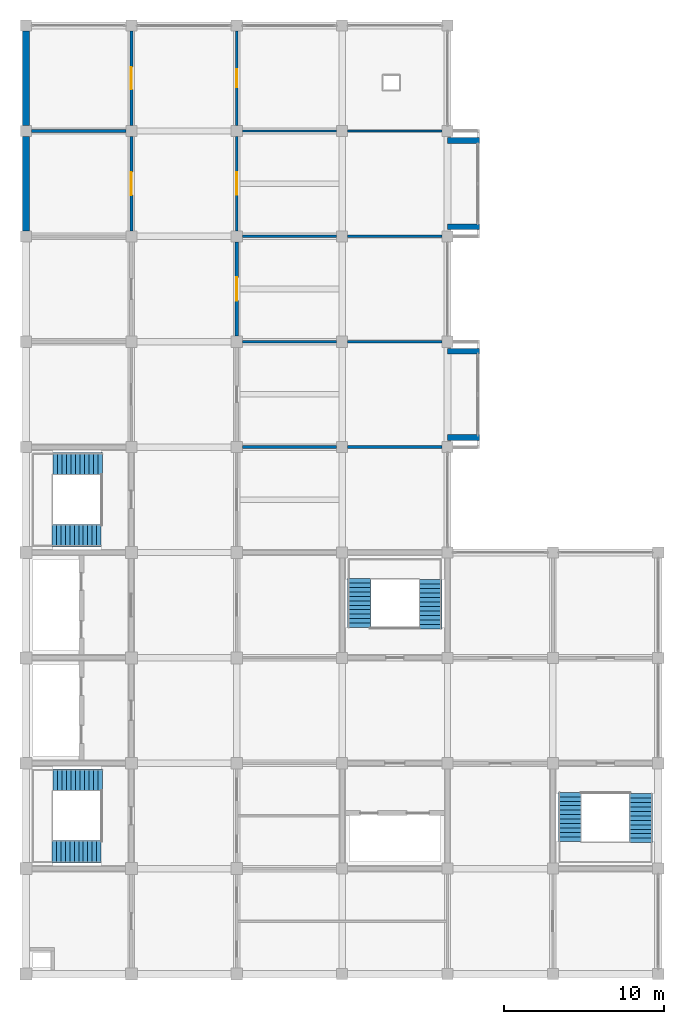
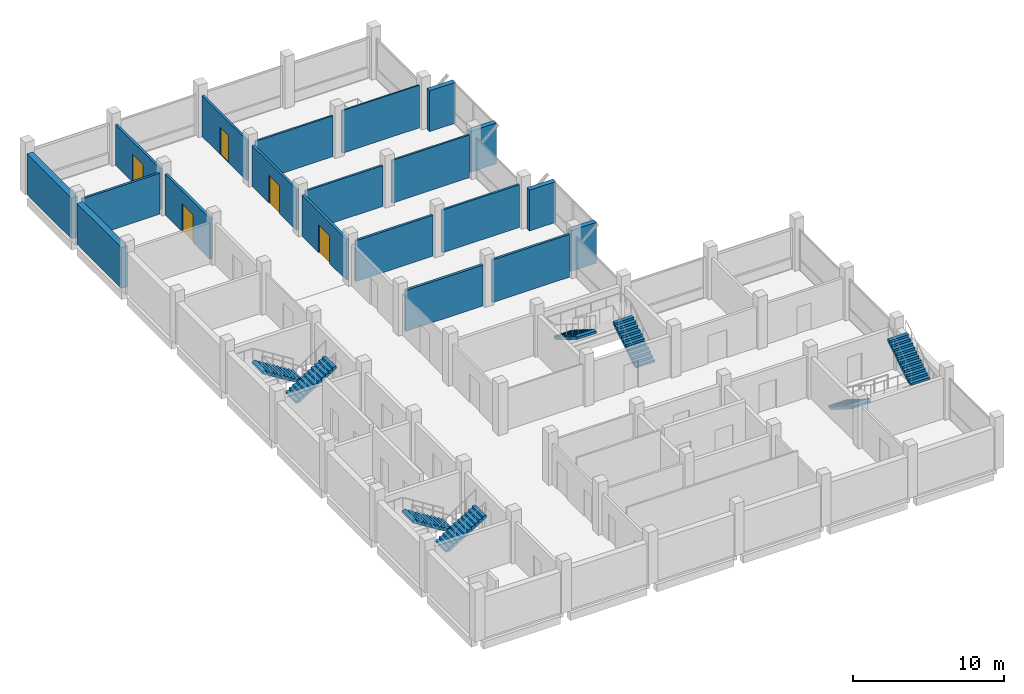
# One storey, part 9 of 10: 20 walls, 8 stair flights, 5 doors, 5 openings, 4 elements without a shape of their own.
"""IFC4 building model written with IfcOpenShell, lengths in metres."""

from ifc_helpers import new_model, si_unit, direction, frame, frame_2d, origin, place, context, subcontext, project, spatial, polyline, rectangle, outline, extrude, material, layer, layer_set, type_object, element, fill, aggregate, save


model = new_model("IFC4")

# Units and contexts
model_context = context("Model", 3, precision=1e-05, world=origin(), true_north=direction((0.0, 1.0)))
body_context = subcontext(model_context, "Body", "Model", "MODEL_VIEW")
ifc_project = project(units=[si_unit("LENGTHUNIT", "METRE"), si_unit("AREAUNIT", "SQUARE_METRE"), si_unit("VOLUMEUNIT", "CUBIC_METRE"), si_unit("PLANEANGLEUNIT", "RADIAN"), si_unit("MASSUNIT", "GRAM", prefix="KILO")], contexts=[model_context])

# Site, building, storey
site_placement = place(None, origin())
site = spatial("IfcSite", under=ifc_project, at=site_placement, CompositionType="ELEMENT")
building_placement = place(site_placement, origin())
building = spatial("IfcBuilding", under=site, at=building_placement, Name="Rusizi Kubbe Research Institute", CompositionType="ELEMENT")
storey_placement = place(building_placement, frame((0.0, 0.0, 48.0)))
storey = spatial("IfcBuildingStorey", under=building, at=storey_placement, Name="L11", CompositionType="ELEMENT", Elevation=48.0)

# Walls
ifc_material_1 = material(Name="Volcanic Basalt Ashlar Masonry", Category="masonry")
ifc_layer_1 = layer(ifc_material_1, 0.35498046875)
ifc_layer_set_1 = layer_set([ifc_layer_1], Name="Volcanic Basalt Ashlar Masonry")
wall_type_1 = type_object("IfcWallType", Name="EW-06", PredefinedType="SOLIDWALL", material=ifc_layer_set_1)
for number, where, z_axis, x_axis, name in (
    (1, (26.39990234375, 33.60009765625, 0.0), (0.0, 0.0, 1.0), (1.0, 0.0, 0.0), "Cumba Return Wall S L11 (4,5)"),
    (2, (26.39990234375, 39.0, 0.0), (0.0, 0.0, 1.0), (1.0, 0.0, 0.0), "Cumba Return Wall N L11 (4,5)"),
    (3, (26.39990234375, 46.800048828125, 0.0), (0.0, 0.0, 1.0), (1.0, 0.0, 0.0), "Cumba Return Wall S L11 (4,7)"),
    (4, (26.39990234375, 52.199951171875, 0.0), (0.0, 0.0, 1.0), (1.0, 0.0, 0.0), "Cumba Return Wall N L11 (4,7)"),
):
    element("IfcWall", number, at=place(storey_placement, frame(where, z_axis=z_axis, x_axis=x_axis)), inside=storey, type_object=wall_type_1, Name=name, PredefinedType="SOLIDWALL", context=body_context, shape_type="SweptSolid", body=[
        extrude(rectangle(XDim=2.0, YDim=0.35498046875, at=frame_2d((1.0, 0.0))), origin(), (0.0, 0.0, 1.0), 3.2900390625),
    ])

# Wall, opening, door
ifc_material_2 = material(Name="Insulated Cleanroom Partition", Category="masonry")
ifc_layer_2 = layer(ifc_material_2, 0.195068359375)
ifc_layer_set_2 = layer_set([ifc_layer_2], Name="Insulated Cleanroom Partition")
wall_type_2 = type_object("IfcWallType", Name="IW-02", PredefinedType="PARTITIONING", material=ifc_layer_set_2)
wall_1_placement = place(storey_placement, frame((6.60009765625, 46.550048828125, 0.0), z_axis=(0.0, 0.0, 1.0), x_axis=(0.0, 1.0, 0.0)))
wall_1 = element("IfcWall", 5, at=wall_1_placement, inside=storey, type_object=wall_type_2, Name="Interior Partition Wall L11 V1-7", PredefinedType="PARTITIONING", context=body_context, shape_type="SweptSolid", body=[
    extrude(rectangle(XDim=5.89990234375, YDim=0.195068359375, at=frame_2d((2.949951171875, 0.0))), origin(), (0.0, 0.0, 1.0), 3.2900390625),
])
opening_1_placement = place(wall_1_placement, frame((2.22509765625, 0.0, 0.0)))
opening_1 = element("IfcOpeningElement", 6, at=opening_1_placement, cuts=wall_1, Name="Opening D-11", PredefinedType="OPENING", context=body_context, shape_type="SweptSolid", body=[
    extrude(rectangle(XDim=1.449951171875, YDim=2.25, at=frame_2d((0.72509765625, 1.125))), frame((0.0, 0.107421875, 0.0), z_axis=(0.0, -1.0, 0.0), x_axis=(1.0, 0.0, 0.0)), (0.0, 0.0, 1.0), 0.215087890625),
])
ifc_material_3 = material(Name="Fire-Rated Steel Frame and Acoustic Timber Leaf", Category="wood")
door_type_1 = type_object("IfcDoorType", Name="ID-LAB-145", OperationType="NOTDEFINED", PredefinedType="DOOR", material=ifc_material_3)
door_1_placement = place(opening_1_placement, origin())
door_1 = element("IfcDoor", 7, at=door_1_placement, inside=storey, type_object=door_type_1, Name="Door to Clean Room Metrology Laboratory (L11-WSP-07)", OperationType="SINGLE_SWING_LEFT", OverallHeight=2.25, OverallWidth=1.449951171875, PredefinedType="DOOR", context=body_context, shape_type="SweptSolid", body=[
    extrude(rectangle(XDim=1.449951171875, YDim=2.25, at=frame_2d((0.72509765625, 1.125))), frame((0.0, 0.02490234375, 0.0), z_axis=(0.0, -1.0, 0.0), x_axis=(1.0, 0.0, 0.0)), (0.0, 0.0, 1.0), 0.050048828125),
])
fill(opening_1, door_1)

wall_2_placement = place(storey_placement, frame((13.199951171875, 39.949951171875, 0.0), z_axis=(0.0, 0.0, 1.0), x_axis=(0.0, 1.0, 0.0)))
wall_2 = element("IfcWall", 8, at=wall_2_placement, inside=storey, type_object=wall_type_2, Name="Interior Partition Wall L11 V2-6", PredefinedType="PARTITIONING", context=body_context, shape_type="SweptSolid", body=[
    extrude(rectangle(XDim=5.900146484375, YDim=0.195068359375, at=frame_2d((2.9501953125, 0.0))), origin(), (0.0, 0.0, 1.0), 3.2900390625),
])
opening_2_placement = place(wall_2_placement, frame((2.22509765625, 0.0, 0.0)))
opening_2 = element("IfcOpeningElement", 9, at=opening_2_placement, cuts=wall_2, Name="Opening D-11", PredefinedType="OPENING", context=body_context, shape_type="SweptSolid", body=[
    extrude(rectangle(XDim=1.449951171875, YDim=2.25, at=frame_2d((0.72509765625, 1.125))), frame((0.0, 0.107421875, 0.0), z_axis=(0.0, -1.0, 0.0), x_axis=(1.0, 0.0, 0.0)), (0.0, 0.0, 1.0), 0.215087890625),
])
door_2_placement = place(opening_2_placement, origin())
door_2 = element("IfcDoor", 10, at=door_2_placement, inside=storey, type_object=door_type_1, Name="Door to Bioscience Wet Laboratory (L11-NW-04)", OperationType="SINGLE_SWING_LEFT", OverallHeight=2.25, OverallWidth=1.449951171875, PredefinedType="DOOR", context=body_context, shape_type="SweptSolid", body=[
    extrude(rectangle(XDim=1.449951171875, YDim=2.25, at=frame_2d((0.72509765625, 1.125))), frame((0.0, 0.02490234375, 0.0), z_axis=(0.0, -1.0, 0.0), x_axis=(1.0, 0.0, 0.0)), (0.0, 0.0, 1.0), 0.050048828125),
])
fill(opening_2, door_2)

# Walls
wall_3_placement = place(storey_placement, frame((13.550048828125, 33.0, 0.0), z_axis=(0.0, 0.0, 1.0), x_axis=(1.0, 0.0, 0.0)))
element("IfcWall", 11, at=wall_3_placement, inside=storey, type_object=wall_type_2, Name="Interior Partition Wall L11 H2-5", PredefinedType="PARTITIONING", context=body_context, shape_type="SweptSolid", body=[
    extrude(rectangle(XDim=5.89990234375, YDim=0.195068359375, at=frame_2d((2.949951171875, 0.0))), origin(), (0.0, 0.0, 1.0), 3.2900390625),
])
ifc_material_4 = material(Name="Acoustic Laboratory Partition", Category="masonry")
ifc_layer_3 = layer(ifc_material_4, 0.175048828125)
ifc_layer_set_3 = layer_set([ifc_layer_3], Name="Acoustic Laboratory Partition")
wall_type_3 = type_object("IfcWallType", Name="IW-03", PredefinedType="PARTITIONING", material=ifc_layer_set_3)
wall_4_placement = place(storey_placement, frame((0.35009765625, 52.800048828125, 0.0), z_axis=(0.0, 0.0, 1.0), x_axis=(1.0, 0.0, 0.0)))
element("IfcWall", 12, at=wall_4_placement, inside=storey, type_object=wall_type_3, Name="Interior Partition Wall L11 H0-8", PredefinedType="PARTITIONING", context=body_context, shape_type="SweptSolid", body=[
    extrude(rectangle(XDim=5.89990234375, YDim=0.175048828125, at=frame_2d((2.949951171875, 0.0))), origin(), (0.0, 0.0, 1.0), 3.2900390625),
])

# Wall, opening, door
wall_5_placement = place(storey_placement, frame((6.60009765625, 53.14990234375, 0.0), z_axis=(0.0, 0.0, 1.0), x_axis=(0.0, 1.0, 0.0)))
wall_5 = element("IfcWall", 13, at=wall_5_placement, inside=storey, type_object=wall_type_3, Name="Interior Partition Wall L11 V1-8", PredefinedType="PARTITIONING", context=body_context, shape_type="SweptSolid", body=[
    extrude(rectangle(XDim=5.900146484375, YDim=0.175048828125, at=frame_2d((2.9501953125, 0.0))), origin(), (0.0, 0.0, 1.0), 3.2900390625),
])
opening_3_placement = place(wall_5_placement, frame((2.25, 0.0, 0.0)))
opening_3 = element("IfcOpeningElement", 14, at=opening_3_placement, cuts=wall_5, Name="Opening D-12", PredefinedType="OPENING", context=body_context, shape_type="SweptSolid", body=[
    extrude(rectangle(XDim=1.39990234375, YDim=2.25, at=frame_2d((0.699951171875, 1.125))), frame((0.0, 0.097412109375, 0.0), z_axis=(0.0, -1.0, 0.0), x_axis=(1.0, 0.0, 0.0)), (0.0, 0.0, 1.0), 0.195068359375),
])
ifc_material_5 = material(Name="Fire-Rated Steel Frame and Acoustic Timber Leaf", Category="wood")
door_type_2 = type_object("IfcDoorType", Name="ID-LAB-140", OperationType="NOTDEFINED", PredefinedType="DOOR", material=ifc_material_5)
door_3_placement = place(opening_3_placement, origin())
door_3 = element("IfcDoor", 15, at=door_3_placement, inside=storey, type_object=door_type_2, Name="Door to Service Spine Autoclave Room (L11-WSP-08)", OperationType="SINGLE_SWING_RIGHT", OverallHeight=2.25, OverallWidth=1.39990234375, PredefinedType="DOOR", context=body_context, shape_type="SweptSolid", body=[
    extrude(rectangle(XDim=1.39990234375, YDim=2.25, at=frame_2d((0.699951171875, 1.125))), frame((0.0, 0.02490234375, 0.0), z_axis=(0.0, -1.0, 0.0), x_axis=(1.0, 0.0, 0.0)), (0.0, 0.0, 1.0), 0.050048828125),
])
fill(opening_3, door_3)

wall_6_placement = place(storey_placement, frame((13.199951171875, 46.550048828125, 0.0), z_axis=(0.0, 0.0, 1.0), x_axis=(0.0, 1.0, 0.0)))
wall_6 = element("IfcWall", 16, at=wall_6_placement, inside=storey, type_object=wall_type_3, Name="Interior Partition Wall L11 V2-7", PredefinedType="PARTITIONING", context=body_context, shape_type="SweptSolid", body=[
    extrude(rectangle(XDim=5.89990234375, YDim=0.175048828125, at=frame_2d((2.949951171875, 0.0))), origin(), (0.0, 0.0, 1.0), 3.2900390625),
])
opening_4_placement = place(wall_6_placement, frame((2.25, 0.0, 0.0)))
opening_4 = element("IfcOpeningElement", 17, at=opening_4_placement, cuts=wall_6, Name="Opening D-12", PredefinedType="OPENING", context=body_context, shape_type="SweptSolid", body=[
    extrude(rectangle(XDim=1.39990234375, YDim=2.25, at=frame_2d((0.699951171875, 1.125))), frame((0.0, 0.097412109375, 0.0), z_axis=(0.0, -1.0, 0.0), x_axis=(1.0, 0.0, 0.0)), (0.0, 0.0, 1.0), 0.195068359375),
])
door_4_placement = place(opening_4_placement, origin())
door_4 = element("IfcDoor", 18, at=door_4_placement, inside=storey, type_object=door_type_2, Name="Door to Computational Dry Laboratory (L11-NW-05)", OperationType="SINGLE_SWING_RIGHT", OverallHeight=2.25, OverallWidth=1.39990234375, PredefinedType="DOOR", context=body_context, shape_type="SweptSolid", body=[
    extrude(rectangle(XDim=1.39990234375, YDim=2.25, at=frame_2d((0.699951171875, 1.125))), frame((0.0, 0.02490234375, 0.0), z_axis=(0.0, -1.0, 0.0), x_axis=(1.0, 0.0, 0.0)), (0.0, 0.0, 1.0), 0.050048828125),
])
fill(opening_4, door_4)

# Walls
wall_7_placement = place(storey_placement, frame((13.550048828125, 39.60009765625, 0.0), z_axis=(0.0, 0.0, 1.0), x_axis=(1.0, 0.0, 0.0)))
element("IfcWall", 19, at=wall_7_placement, inside=storey, type_object=wall_type_3, Name="Interior Partition Wall L11 H2-6", PredefinedType="PARTITIONING", context=body_context, shape_type="SweptSolid", body=[
    extrude(rectangle(XDim=5.89990234375, YDim=0.175048828125, at=frame_2d((2.949951171875, 0.0))), origin(), (0.0, 0.0, 1.0), 3.2900390625),
])
wall_8_placement = place(storey_placement, frame((20.14990234375, 33.0, 0.0), z_axis=(0.0, 0.0, 1.0), x_axis=(1.0, 0.0, 0.0)))
element("IfcWall", 20, at=wall_8_placement, inside=storey, type_object=wall_type_3, Name="Interior Partition Wall L11 H3-5", PredefinedType="PARTITIONING", context=body_context, shape_type="SweptSolid", body=[
    extrude(rectangle(XDim=5.900146484375, YDim=0.175048828125, at=frame_2d((2.9501953125, 0.0))), origin(), (0.0, 0.0, 1.0), 3.43994140625),
])

# Wall, opening, door
ifc_material_6 = material(Name="Fire-Rated Corridor Partition", Category="masonry")
ifc_layer_4 = layer(ifc_material_6, 0.155029296875)
ifc_layer_set_4 = layer_set([ifc_layer_4], Name="Fire-Rated Corridor Partition")
wall_type_4 = type_object("IfcWallType", Name="IW-04", PredefinedType="PARTITIONING", material=ifc_layer_set_4)
wall_9_placement = place(storey_placement, frame((13.199951171875, 53.14990234375, 0.0), z_axis=(0.0, 0.0, 1.0), x_axis=(0.0, 1.0, 0.0)))
wall_9 = element("IfcWall", 21, at=wall_9_placement, inside=storey, type_object=wall_type_4, Name="Interior Partition Wall L11 V2-8", PredefinedType="PARTITIONING", context=body_context, shape_type="SweptSolid", body=[
    extrude(rectangle(XDim=5.900146484375, YDim=0.155029296875, at=frame_2d((2.9501953125, 0.0))), origin(), (0.0, 0.0, 1.0), 3.2900390625),
])
opening_5_placement = place(wall_9_placement, frame((2.389892578125, 0.0, 0.0)))
opening_5 = element("IfcOpeningElement", 22, at=opening_5_placement, cuts=wall_9, Name="Opening D-18", PredefinedType="OPENING", context=body_context, shape_type="SweptSolid", body=[
    extrude(rectangle(XDim=1.1201171875, YDim=2.199951171875, at=frame_2d((0.56005859375, 1.10009765625))), frame((0.0, 0.08740234375, 0.0), z_axis=(0.0, -1.0, 0.0), x_axis=(1.0, 0.0, 0.0)), (0.0, 0.0, 1.0), 0.175048828125),
])
ifc_material_7 = material(Name="Fire-Rated Steel Frame and Acoustic Timber Leaf", Category="wood")
door_type_3 = type_object("IfcDoorType", Name="ID-OFF-112", OperationType="NOTDEFINED", PredefinedType="DOOR", material=ifc_material_7)
door_5_placement = place(opening_5_placement, origin())
door_5 = element("IfcDoor", 23, at=door_5_placement, inside=storey, type_object=door_type_3, Name="Door to Write-up Office (L11-NW-06)", OperationType="SINGLE_SWING_LEFT", OverallHeight=2.199951171875, OverallWidth=1.1201171875, PredefinedType="DOOR", context=body_context, shape_type="SweptSolid", body=[
    extrude(rectangle(XDim=1.1201171875, YDim=2.199951171875, at=frame_2d((0.56005859375, 1.10009765625))), frame((0.0, 0.02490234375, 0.0), z_axis=(0.0, -1.0, 0.0), x_axis=(1.0, 0.0, 0.0)), (0.0, 0.0, 1.0), 0.050048828125),
])
fill(opening_5, door_5)

# Walls
wall_10_placement = place(storey_placement, frame((13.550048828125, 46.199951171875, 0.0), z_axis=(0.0, 0.0, 1.0), x_axis=(1.0, 0.0, 0.0)))
element("IfcWall", 24, at=wall_10_placement, inside=storey, type_object=wall_type_4, Name="Interior Partition Wall L11 H2-7", PredefinedType="PARTITIONING", context=body_context, shape_type="SweptSolid", body=[
    extrude(rectangle(XDim=5.89990234375, YDim=0.155029296875, at=frame_2d((2.949951171875, 0.0))), origin(), (0.0, 0.0, 1.0), 3.2900390625),
])
wall_11_placement = place(storey_placement, frame((20.14990234375, 39.60009765625, 0.0), z_axis=(0.0, 0.0, 1.0), x_axis=(1.0, 0.0, 0.0)))
element("IfcWall", 25, at=wall_11_placement, inside=storey, type_object=wall_type_4, Name="Interior Partition Wall L11 H3-6", PredefinedType="PARTITIONING", context=body_context, shape_type="SweptSolid", body=[
    extrude(rectangle(XDim=5.900146484375, YDim=0.155029296875, at=frame_2d((2.9501953125, 0.0))), origin(), (0.0, 0.0, 1.0), 3.43994140625),
])
ifc_material_8 = material(Name="Write-up Glazed Acoustic Partition", Category="masonry")
ifc_layer_5 = layer(ifc_material_8, 0.139892578125)
ifc_layer_set_5 = layer_set([ifc_layer_5], Name="Write-up Glazed Acoustic Partition")
wall_type_5 = type_object("IfcWallType", Name="IW-05", PredefinedType="PARTITIONING", material=ifc_layer_set_5)
wall_12_placement = place(storey_placement, frame((13.550048828125, 52.800048828125, 0.0), z_axis=(0.0, 0.0, 1.0), x_axis=(1.0, 0.0, 0.0)))
element("IfcWall", 26, at=wall_12_placement, inside=storey, type_object=wall_type_5, Name="Interior Partition Wall L11 H2-8", PredefinedType="PARTITIONING", context=body_context, shape_type="SweptSolid", body=[
    extrude(rectangle(XDim=5.89990234375, YDim=0.139892578125, at=frame_2d((2.949951171875, 0.0))), origin(), (0.0, 0.0, 1.0), 3.2900390625),
])
wall_13_placement = place(storey_placement, frame((20.14990234375, 46.199951171875, 0.0), z_axis=(0.0, 0.0, 1.0), x_axis=(1.0, 0.0, 0.0)))
element("IfcWall", 27, at=wall_13_placement, inside=storey, type_object=wall_type_5, Name="Interior Partition Wall L11 H3-7", PredefinedType="PARTITIONING", context=body_context, shape_type="SweptSolid", body=[
    extrude(rectangle(XDim=5.900146484375, YDim=0.139892578125, at=frame_2d((2.9501953125, 0.0))), origin(), (0.0, 0.0, 1.0), 3.43994140625),
])
ifc_material_9 = material(Name="Sub-Suite Fire Partition", Category="masonry")
ifc_layer_6 = layer(ifc_material_9, 0.110107421875)
ifc_layer_set_6 = layer_set([ifc_layer_6], Name="Sub-Suite Fire Partition")
wall_type_6 = type_object("IfcWallType", Name="IW-07", PredefinedType="PARTITIONING", material=ifc_layer_set_6)
wall_14_placement = place(storey_placement, frame((20.14990234375, 52.800048828125, 0.0), z_axis=(0.0, 0.0, 1.0), x_axis=(1.0, 0.0, 0.0)))
element("IfcWall", 28, at=wall_14_placement, inside=storey, type_object=wall_type_6, Name="Interior Partition Wall L11 H3-8", PredefinedType="PARTITIONING", context=body_context, shape_type="SweptSolid", body=[
    extrude(rectangle(XDim=5.900146484375, YDim=0.110107421875, at=frame_2d((2.9501953125, 0.0))), origin(), (0.0, 0.0, 1.0), 3.43994140625),
])
ifc_material_10 = material(Name="Concrete C40/50", Category="concrete")
ifc_layer_7 = layer(ifc_material_10, 0.4599609375)
ifc_layer_set_7 = layer_set([ifc_layer_7], Name="Concrete C40/50")
wall_type_7 = type_object("IfcWallType", Name="PW-02", PredefinedType="SOLIDWALL", material=ifc_layer_set_7)
wall_15_placement = place(storey_placement, frame((0.0, 46.550048828125, 0.0), z_axis=(0.0, 0.0, 1.0), x_axis=(0.0, 1.0, 0.0)))
element("IfcWall", 29, at=wall_15_placement, inside=storey, type_object=wall_type_7, Name="Blind Party Wall L11 V0-7", PredefinedType="SOLIDWALL", context=body_context, shape_type="SweptSolid", body=[
    extrude(rectangle(XDim=5.89990234375, YDim=0.4599609375, at=frame_2d((2.949951171875, 0.0))), origin(), (0.0, 0.0, 1.0), 3.2900390625),
])
wall_16_placement = place(storey_placement, frame((0.0, 53.14990234375, 0.0), z_axis=(0.0, 0.0, 1.0), x_axis=(0.0, 1.0, 0.0)))
element("IfcWall", 30, at=wall_16_placement, inside=storey, type_object=wall_type_7, Name="Blind Party Wall L11 V0-8", PredefinedType="SOLIDWALL", context=body_context, shape_type="SweptSolid", body=[
    extrude(rectangle(XDim=5.900146484375, YDim=0.4599609375, at=frame_2d((2.9501953125, 0.0))), origin(), (0.0, 0.0, 1.0), 3.2900390625),
])

# Stair, stair flights
ifc_material_11 = material(Name="Concrete C40/50", Category="concrete")
stair_type_1 = type_object("IfcStairType", Name="ST-H420A", PredefinedType="HALF_TURN_STAIR", material=ifc_material_11)
stair_1_placement = place(storey_placement, origin())
stair_1 = element("IfcStair", 31, at=stair_1_placement, inside=storey, type_object=stair_type_1, Name="Protected Exit Stair ST1 (L11)", PredefinedType="HALF_TURN_STAIR")
ifc_material_12 = material(Name="Concrete C40/50", Category="concrete")
stair_flight_type_1 = type_object("IfcStairFlightType", Name="FL-H420A", PredefinedType="STRAIGHT", material=ifc_material_12)
stair_flight_1_placement = place(storey_placement, frame((4.780029296875, 12.14990234375, 0.0), z_axis=(0.0, 0.0, 1.0), x_axis=(-1.0, 0.0, 0.0)))
stair_flight_1 = element("IfcStairFlight", 32, at=stair_flight_1_placement, type_object=stair_flight_type_1, Name="ST1 flight 1", NumberOfRisers=12, NumberOfTreads=11, PredefinedType="STRAIGHT", RiserHeight=0.175, TreadLength=0.28, context=body_context, shape_type="SweptSolid", body=[
    extrude(outline(polyline([(0.0, 0.0), (0.0, 0.175048828125), (0.280029296875, 0.175048828125), (0.280029296875, 0.35009765625), (0.56005859375, 0.35009765625), (0.56005859375, 0.52490234375), (0.840087890625, 0.52490234375), (0.840087890625, 0.699951171875), (1.1201171875, 0.699951171875), (1.1201171875, 0.875), (1.39990234375, 0.875), (1.39990234375, 1.050048828125), (1.679931640625, 1.050048828125), (1.679931640625, 1.22509765625), (1.9599609375, 1.22509765625), (1.9599609375, 1.39990234375), (2.239990234375, 1.39990234375), (2.239990234375, 1.574951171875), (2.52001953125, 1.574951171875), (2.52001953125, 1.75), (2.800048828125, 1.75), (2.800048828125, 1.925048828125), (3.080078125, 1.925048828125), (3.080078125, 2.10009765625), (3.080078125, 1.736328125), (0.3017578125, 0.0), (0.0, 0.0)])), frame((0.0, 0.699951171875, 0.0), z_axis=(0.0, -1.0, 0.0), x_axis=(1.0, 0.0, 0.0)), (0.0, 0.0, 1.0), 1.39990234375),
])
stair_flight_2_placement = place(storey_placement, frame((1.6259765625, 7.64990234375, 2.10009765625), z_axis=(0.0, 0.0, 1.0), x_axis=(1.0, 0.0, 0.0)))
stair_flight_2 = element("IfcStairFlight", 33, at=stair_flight_2_placement, type_object=stair_flight_type_1, Name="ST1 flight 2", NumberOfRisers=12, NumberOfTreads=11, PredefinedType="STRAIGHT", RiserHeight=0.175, TreadLength=0.28, context=body_context, shape_type="SweptSolid", body=[
    extrude(outline(polyline([(0.0, 0.0), (0.0, 0.175048828125), (0.280029296875, 0.175048828125), (0.280029296875, 0.35009765625), (0.56005859375, 0.35009765625), (0.56005859375, 0.52490234375), (0.840087890625, 0.52490234375), (0.840087890625, 0.699951171875), (1.1201171875, 0.699951171875), (1.1201171875, 0.875), (1.39990234375, 0.875), (1.39990234375, 1.050048828125), (1.679931640625, 1.050048828125), (1.679931640625, 1.22509765625), (1.9599609375, 1.22509765625), (1.9599609375, 1.39990234375), (2.239990234375, 1.39990234375), (2.239990234375, 1.574951171875), (2.52001953125, 1.574951171875), (2.52001953125, 1.75), (2.800048828125, 1.75), (2.800048828125, 1.925048828125), (3.080078125, 1.925048828125), (3.080078125, 2.10009765625), (3.080078125, 1.736328125), (0.3017578125, 0.0), (0.0, 0.0)])), frame((0.0, 0.699951171875, 0.0), z_axis=(0.0, -1.0, 0.0), x_axis=(1.0, 0.0, 0.0)), (0.0, 0.0, 1.0), 1.39990234375),
])
aggregate(stair_1, [stair_flight_1, stair_flight_2])

stair_2_placement = place(storey_placement, origin())
stair_2 = element("IfcStair", 34, at=stair_2_placement, inside=storey, type_object=stair_type_1, Name="Protected Exit Stair ST2 (L11)", PredefinedType="HALF_TURN_STAIR")
stair_flight_3_placement = place(storey_placement, frame((4.780029296875, 31.949951171875, 0.0), z_axis=(0.0, 0.0, 1.0), x_axis=(-1.0, 0.0, 0.0)))
stair_flight_3 = element("IfcStairFlight", 35, at=stair_flight_3_placement, type_object=stair_flight_type_1, Name="ST2 flight 1", NumberOfRisers=12, NumberOfTreads=11, PredefinedType="STRAIGHT", RiserHeight=0.175, TreadLength=0.28, context=body_context, shape_type="SweptSolid", body=[
    extrude(outline(polyline([(0.0, 0.0), (0.0, 0.175048828125), (0.280029296875, 0.175048828125), (0.280029296875, 0.35009765625), (0.56005859375, 0.35009765625), (0.56005859375, 0.52490234375), (0.840087890625, 0.52490234375), (0.840087890625, 0.699951171875), (1.1201171875, 0.699951171875), (1.1201171875, 0.875), (1.39990234375, 0.875), (1.39990234375, 1.050048828125), (1.679931640625, 1.050048828125), (1.679931640625, 1.22509765625), (1.9599609375, 1.22509765625), (1.9599609375, 1.39990234375), (2.239990234375, 1.39990234375), (2.239990234375, 1.574951171875), (2.52001953125, 1.574951171875), (2.52001953125, 1.75), (2.800048828125, 1.75), (2.800048828125, 1.925048828125), (3.080078125, 1.925048828125), (3.080078125, 2.10009765625), (3.080078125, 1.736328125), (0.3017578125, 0.0), (0.0, 0.0)])), frame((0.0, 0.699951171875, 0.0), z_axis=(0.0, -1.0, 0.0), x_axis=(1.0, 0.0, 0.0)), (0.0, 0.0, 1.0), 1.39990234375),
])
stair_flight_4_placement = place(storey_placement, frame((1.6259765625, 27.449951171875, 2.10009765625), z_axis=(0.0, 0.0, 1.0), x_axis=(1.0, 0.0, 0.0)))
stair_flight_4 = element("IfcStairFlight", 36, at=stair_flight_4_placement, type_object=stair_flight_type_1, Name="ST2 flight 2", NumberOfRisers=12, NumberOfTreads=11, PredefinedType="STRAIGHT", RiserHeight=0.175, TreadLength=0.28, context=body_context, shape_type="SweptSolid", body=[
    extrude(outline(polyline([(0.0, 0.0), (0.0, 0.175048828125), (0.280029296875, 0.175048828125), (0.280029296875, 0.35009765625), (0.56005859375, 0.35009765625), (0.56005859375, 0.52490234375), (0.840087890625, 0.52490234375), (0.840087890625, 0.699951171875), (1.1201171875, 0.699951171875), (1.1201171875, 0.875), (1.39990234375, 0.875), (1.39990234375, 1.050048828125), (1.679931640625, 1.050048828125), (1.679931640625, 1.22509765625), (1.9599609375, 1.22509765625), (1.9599609375, 1.39990234375), (2.239990234375, 1.39990234375), (2.239990234375, 1.574951171875), (2.52001953125, 1.574951171875), (2.52001953125, 1.75), (2.800048828125, 1.75), (2.800048828125, 1.925048828125), (3.080078125, 1.925048828125), (3.080078125, 2.10009765625), (3.080078125, 1.736328125), (0.3017578125, 0.0), (0.0, 0.0)])), frame((0.0, 0.699951171875, 0.0), z_axis=(0.0, -1.0, 0.0), x_axis=(1.0, 0.0, 0.0)), (0.0, 0.0, 1.0), 1.39990234375),
])
aggregate(stair_2, [stair_flight_3, stair_flight_4])

ifc_material_13 = material(Name="Concrete C40/50", Category="concrete")
stair_type_2 = type_object("IfcStairType", Name="ST-H420B", PredefinedType="HALF_TURN_STAIR", material=ifc_material_13)
stair_3_placement = place(storey_placement, origin())
stair_3 = element("IfcStair", 37, at=stair_3_placement, inside=storey, type_object=stair_type_2, Name="Protected Exit Stair ST3 (L11)", PredefinedType="HALF_TURN_STAIR")
ifc_material_14 = material(Name="Concrete C40/50", Category="concrete")
stair_flight_type_2 = type_object("IfcStairFlightType", Name="FL-H420B", PredefinedType="STRAIGHT", material=ifc_material_14)
stair_flight_5_placement = place(storey_placement, frame((25.324951171875, 21.6201171875, 0.0), z_axis=(0.0, 0.0, 1.0), x_axis=(0.0, 1.0, 0.0)))
stair_flight_5 = element("IfcStairFlight", 38, at=stair_flight_5_placement, type_object=stair_flight_type_2, Name="ST3 flight 1", NumberOfRisers=12, NumberOfTreads=11, PredefinedType="STRAIGHT", RiserHeight=0.175, TreadLength=0.28, context=body_context, shape_type="SweptSolid", body=[
    extrude(outline(polyline([(0.0, 0.0), (0.0, 0.175048828125), (0.280029296875, 0.175048828125), (0.280029296875, 0.35009765625), (0.56005859375, 0.35009765625), (0.56005859375, 0.52490234375), (0.840087890625, 0.52490234375), (0.840087890625, 0.699951171875), (1.1201171875, 0.699951171875), (1.1201171875, 0.875), (1.39990234375, 0.875), (1.39990234375, 1.050048828125), (1.679931640625, 1.050048828125), (1.679931640625, 1.22509765625), (1.9599609375, 1.22509765625), (1.9599609375, 1.39990234375), (2.239990234375, 1.39990234375), (2.239990234375, 1.574951171875), (2.52001953125, 1.574951171875), (2.52001953125, 1.75), (2.800048828125, 1.75), (2.800048828125, 1.925048828125), (3.080078125, 1.925048828125), (3.080078125, 2.10009765625), (3.080078125, 1.736328125), (0.3017578125, 0.0), (0.0, 0.0)])), frame((0.0, 0.72509765625, 0.0), z_axis=(0.0, -1.0, 0.0), x_axis=(1.0, 0.0, 0.0)), (0.0, 0.0, 1.0), 1.449951171875),
])
stair_flight_6_placement = place(storey_placement, frame((20.875, 24.77392578125, 2.10009765625), z_axis=(0.0, 0.0, 1.0), x_axis=(0.0, -1.0, 0.0)))
stair_flight_6 = element("IfcStairFlight", 39, at=stair_flight_6_placement, type_object=stair_flight_type_2, Name="ST3 flight 2", NumberOfRisers=12, NumberOfTreads=11, PredefinedType="STRAIGHT", RiserHeight=0.175, TreadLength=0.28, context=body_context, shape_type="SweptSolid", body=[
    extrude(outline(polyline([(0.0, 0.0), (0.0, 0.175048828125), (0.280029296875, 0.175048828125), (0.280029296875, 0.35009765625), (0.56005859375, 0.35009765625), (0.56005859375, 0.52490234375), (0.840087890625, 0.52490234375), (0.840087890625, 0.699951171875), (1.1201171875, 0.699951171875), (1.1201171875, 0.875), (1.39990234375, 0.875), (1.39990234375, 1.050048828125), (1.679931640625, 1.050048828125), (1.679931640625, 1.22509765625), (1.9599609375, 1.22509765625), (1.9599609375, 1.39990234375), (2.239990234375, 1.39990234375), (2.239990234375, 1.574951171875), (2.52001953125, 1.574951171875), (2.52001953125, 1.75), (2.800048828125, 1.75), (2.800048828125, 1.925048828125), (3.080078125, 1.925048828125), (3.080078125, 2.10009765625), (3.080078125, 1.736328125), (0.3017578125, 0.0), (0.0, 0.0)])), frame((0.0, 0.72509765625, 0.0), z_axis=(0.0, -1.0, 0.0), x_axis=(1.0, 0.0, 0.0)), (0.0, 0.0, 1.0), 1.449951171875),
])
aggregate(stair_3, [stair_flight_5, stair_flight_6])

stair_4_placement = place(storey_placement, origin())
stair_4 = element("IfcStair", 40, at=stair_4_placement, inside=storey, type_object=stair_type_2, Name="Protected Exit Stair ST4 (L11)", PredefinedType="HALF_TURN_STAIR")
stair_flight_7_placement = place(storey_placement, frame((34.074951171875, 11.3798828125, 0.0), z_axis=(0.0, 0.0, 1.0), x_axis=(0.0, -1.0, 0.0)))
stair_flight_7 = element("IfcStairFlight", 41, at=stair_flight_7_placement, type_object=stair_flight_type_2, Name="ST4 flight 1", NumberOfRisers=12, NumberOfTreads=11, PredefinedType="STRAIGHT", RiserHeight=0.175, TreadLength=0.28, context=body_context, shape_type="SweptSolid", body=[
    extrude(outline(polyline([(0.0, 0.0), (0.0, 0.175048828125), (0.280029296875, 0.175048828125), (0.280029296875, 0.35009765625), (0.56005859375, 0.35009765625), (0.56005859375, 0.52490234375), (0.840087890625, 0.52490234375), (0.840087890625, 0.699951171875), (1.1201171875, 0.699951171875), (1.1201171875, 0.875), (1.39990234375, 0.875), (1.39990234375, 1.050048828125), (1.679931640625, 1.050048828125), (1.679931640625, 1.22509765625), (1.9599609375, 1.22509765625), (1.9599609375, 1.39990234375), (2.239990234375, 1.39990234375), (2.239990234375, 1.574951171875), (2.52001953125, 1.574951171875), (2.52001953125, 1.75), (2.800048828125, 1.75), (2.800048828125, 1.925048828125), (3.080078125, 1.925048828125), (3.080078125, 2.10009765625), (3.080078125, 1.736328125), (0.3017578125, 0.0), (0.0, 0.0)])), frame((0.0, 0.72509765625, 0.0), z_axis=(0.0, -1.0, 0.0), x_axis=(1.0, 0.0, 0.0)), (0.0, 0.0, 1.0), 1.449951171875),
])
stair_flight_8_placement = place(storey_placement, frame((38.52490234375, 8.22607421875, 2.10009765625), z_axis=(0.0, 0.0, 1.0), x_axis=(0.0, 1.0, 0.0)))
stair_flight_8 = element("IfcStairFlight", 42, at=stair_flight_8_placement, type_object=stair_flight_type_2, Name="ST4 flight 2", NumberOfRisers=12, NumberOfTreads=11, PredefinedType="STRAIGHT", RiserHeight=0.175, TreadLength=0.28, context=body_context, shape_type="SweptSolid", body=[
    extrude(outline(polyline([(0.0, 0.0), (0.0, 0.175048828125), (0.280029296875, 0.175048828125), (0.280029296875, 0.35009765625), (0.56005859375, 0.35009765625), (0.56005859375, 0.52490234375), (0.840087890625, 0.52490234375), (0.840087890625, 0.699951171875), (1.1201171875, 0.699951171875), (1.1201171875, 0.875), (1.39990234375, 0.875), (1.39990234375, 1.050048828125), (1.679931640625, 1.050048828125), (1.679931640625, 1.22509765625), (1.9599609375, 1.22509765625), (1.9599609375, 1.39990234375), (2.239990234375, 1.39990234375), (2.239990234375, 1.574951171875), (2.52001953125, 1.574951171875), (2.52001953125, 1.75), (2.800048828125, 1.75), (2.800048828125, 1.925048828125), (3.080078125, 1.925048828125), (3.080078125, 2.10009765625), (3.080078125, 1.736328125), (0.3017578125, 0.0), (0.0, 0.0)])), frame((0.0, 0.72509765625, 0.0), z_axis=(0.0, -1.0, 0.0), x_axis=(1.0, 0.0, 0.0)), (0.0, 0.0, 1.0), 1.449951171875),
])
aggregate(stair_4, [stair_flight_7, stair_flight_8])

save(model, "model.ifc")
